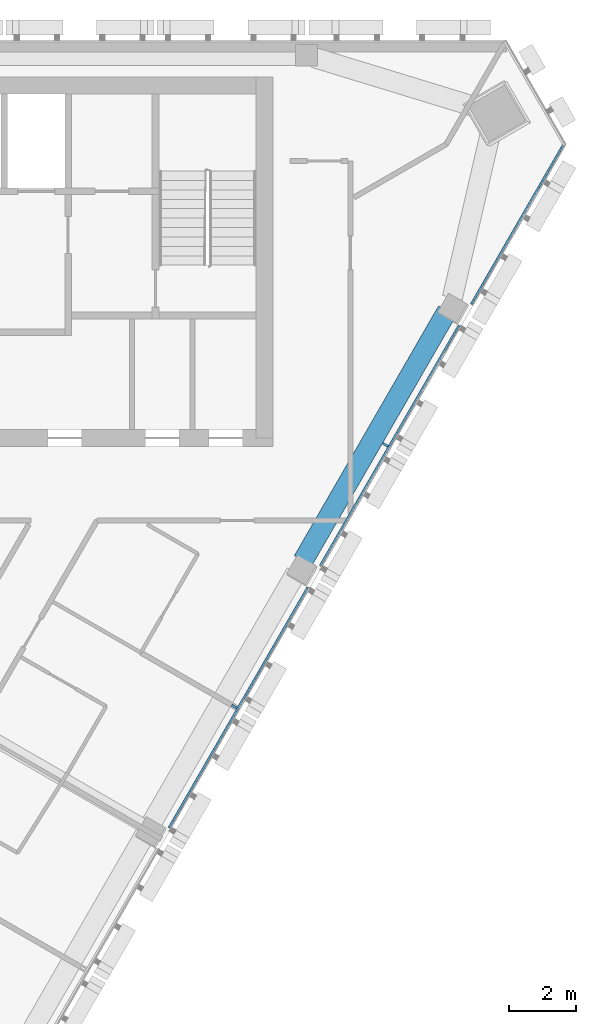
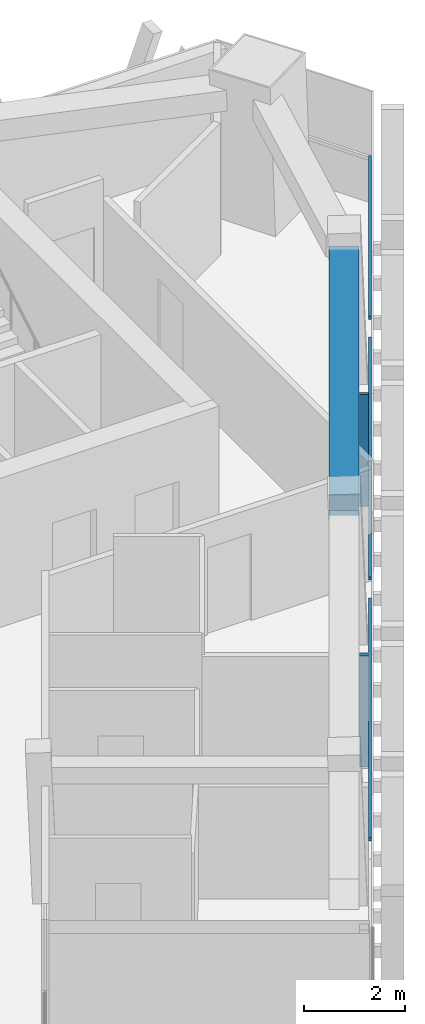
# One storey, part 4 of 11: 5 members, 1 beam, 1 element without a shape of its own.
"""IFC4 building model written with IfcOpenShell, lengths in metres."""

import ifcopenshell
import ifcopenshell.guid

model = None  # the IFC model being written
_history = None  # IfcOwnerHistory: only IFC2X3 demands one
_inside = {}  # id of a spatial element -> (the spatial element, [elements in it])
_under = {}  # id of a project, library or spatial element -> (it, [spatial elements below it])
_declared = {}  # id of a project -> (the project, [libraries it declares])
_typed = {}  # id of a type object -> (the type object, [elements of that type])
_made_of = {}  # id of a material, layer set ... -> (it, [elements and type objects made of it])


def new_model(schema):
    """Start an empty IFC model of exactly this schema.

    Asked for "IFC4X3", IfcOpenShell would pick the latest addendum, in which some entities
    have other attributes; the version numbers below select the first issue.
    IFC2X3 requires an IfcOwnerHistory on every rooted entity: one is made here for all.
    """
    global model, _history
    if schema == "IFC4X3":
        model = ifcopenshell.file(schema_version=(4, 3, 0, 0))
    else:
        model = ifcopenshell.file(schema=schema)
    _inside.clear()
    _under.clear()
    _declared.clear()
    _typed.clear()
    _made_of.clear()
    _history = None
    if model.schema == "IFC2X3":
        org = make("IfcOrganization", Name="unknown")
        user = make(
            "IfcPersonAndOrganization",
            ThePerson=make("IfcPerson", FamilyName="unknown"),
            TheOrganization=org,
        )
        app = make(
            "IfcApplication",
            ApplicationDeveloper=org,
            Version="unknown",
            ApplicationFullName="unknown",
            ApplicationIdentifier="unknown",
        )
        _history = make(
            "IfcOwnerHistory",
            OwningUser=user,
            OwningApplication=app,
            ChangeAction="ADDED",
            CreationDate=0,
        )
    return model


def make(cls, **values):
    """One entity of the class cls with the attributes given. An attribute that is None is left unset."""
    return model.create_entity(
        cls, **{name: value for name, value in values.items() if value is not None}
    )


def rooted(cls, **values):
    """An entity with a GlobalId (a new one), such as an element, a storey or a relation."""
    return make(cls, GlobalId=ifcopenshell.guid.new(), OwnerHistory=_history, **values)


def si_unit(unit_type, name, prefix=None):
    """IfcSIUnit, for example si_unit("LENGTHUNIT", "METRE", prefix="MILLI")."""
    return make("IfcSIUnit", UnitType=unit_type, Prefix=prefix, Name=name)


def assignment(units):
    """IfcUnitAssignment: the units of a project."""
    return None if units is None else make("IfcUnitAssignment", Units=units)


def point(xyz):
    """IfcCartesianPoint."""
    return None if xyz is None else make("IfcCartesianPoint", Coordinates=xyz)


def direction(xyz):
    """IfcDirection."""
    return None if xyz is None else make("IfcDirection", DirectionRatios=xyz)


def frame(location, z_axis=None, x_axis=None):
    """IfcAxis2Placement3D, a coordinate frame: its origin and axes. An axis left out is left unset."""
    return make(
        "IfcAxis2Placement3D",
        Location=point(location),
        Axis=direction(z_axis),
        RefDirection=direction(x_axis),
    )


def frame_2d(location, x_axis=None):
    """IfcAxis2Placement2D, a coordinate frame in the plane: its origin and x axis."""
    return make(
        "IfcAxis2Placement2D", Location=point(location), RefDirection=direction(x_axis)
    )


def origin():
    """The frame at (0, 0, 0) with its axes left unset."""
    return frame((0.0, 0.0, 0.0))


def origin_2d():
    """The frame at (0, 0) in the plane with its x axis left unset."""
    return frame_2d((0.0, 0.0))


def place(relative_to, where):
    """IfcLocalPlacement: puts the frame where relative to a parent placement (None: the world)."""
    return make(
        "IfcLocalPlacement", PlacementRelTo=relative_to, RelativePlacement=where
    )


def context(
    kind, dimensions, precision=None, world=None, true_north=None, identifier=None
):
    """IfcGeometricRepresentationContext, for example the 3D "Model" context."""
    return make(
        "IfcGeometricRepresentationContext",
        ContextIdentifier=identifier,
        ContextType=kind,
        CoordinateSpaceDimension=dimensions,
        Precision=precision,
        WorldCoordinateSystem=world,
        TrueNorth=true_north,
    )


def subcontext(parent, identifier, kind, view, scale=None):
    """IfcGeometricRepresentationSubContext, for example "Body" below "Model"."""
    return make(
        "IfcGeometricRepresentationSubContext",
        ContextIdentifier=identifier,
        ContextType=kind,
        ParentContext=parent,
        TargetScale=scale,
        TargetView=view,
    )


def project(units=None, contexts=None):
    """IfcProject with its units and contexts."""
    return rooted(
        "IfcProject",
        Name="project",
        RepresentationContexts=contexts,
        UnitsInContext=assignment(units),
    )


def spatial(cls, under=None, at=None, **own):
    """A site, building, storey or space (cls), placed at a placement, below another one or the project."""
    s = rooted(cls, ObjectPlacement=at, **own)
    if under is not None:
        _under.setdefault(under.id(), (under, []))[1].append(s)
    return s


def profile(cls, at=None, kind="AREA", **sizes):
    """A parametric profile (cls). Its sizes go by their IFC names, for example OverallWidth=200.0."""
    return make(cls, ProfileType=kind, Position=at, **sizes)


def rectangle(**sizes):
    """IfcRectangleProfileDef."""
    return profile("IfcRectangleProfileDef", **sizes)


def extrude(swept, where, along, depth):
    """IfcExtrudedAreaSolid: the profile swept, set in the frame where, extruded along a direction by depth."""
    return make(
        "IfcExtrudedAreaSolid",
        SweptArea=swept,
        Position=where,
        ExtrudedDirection=direction(along),
        Depth=depth,
    )


def shape(context_of_items, identifier, shape_type, items):
    """IfcShapeRepresentation: the items that make up one representation, for example the "Body"."""
    return make(
        "IfcShapeRepresentation",
        ContextOfItems=context_of_items,
        RepresentationIdentifier=identifier,
        RepresentationType=shape_type,
        Items=items,
    )


def material(Name=None, Category=None):
    """IfcMaterial."""
    return make("IfcMaterial", Name=Name, Category=Category)


def layer(
    of_material, thickness, ventilated=None, Name=None, Category=None, Priority=None
):
    """IfcMaterialLayer: one layer of a wall or slab, of a material (None: an air gap)."""
    return make(
        "IfcMaterialLayer",
        Material=of_material,
        LayerThickness=thickness,
        IsVentilated=ventilated,
        Name=Name,
        Category=Category,
        Priority=Priority,
    )


def layer_set(layers, Name=None):
    """IfcMaterialLayerSet."""
    return make("IfcMaterialLayerSet", MaterialLayers=layers, LayerSetName=Name)


def material_profile(
    of_material, cross_section, Name=None, Category=None, Priority=None
):
    """IfcMaterialProfile: a cross section and its material."""
    return make(
        "IfcMaterialProfile",
        Name=Name,
        Material=of_material,
        Profile=cross_section,
        Priority=Priority,
        Category=Category,
    )


def profile_set(profiles, Name=None, composite=None):
    """IfcMaterialProfileSet."""
    return make(
        "IfcMaterialProfileSet",
        Name=Name,
        MaterialProfiles=profiles,
        CompositeProfile=composite,
    )


def made_of(thing, what):
    """Note that an element or type object is made of a material, layer set ...; save() writes the relation."""
    if what is not None:
        _made_of.setdefault(what.id(), (what, []))[1].append(thing)
    return thing


def type_object(cls, material=None, **own):
    """A type object (cls), such as IfcWallType, which elements share."""
    return made_of(rooted(cls, **own), material)


def element(
    cls,
    number,
    at=None,
    inside=None,
    cuts=None,
    type_object=None,
    material=None,
    context=None,
    identifier="Body",
    shape_type=None,
    held_by="IfcProductDefinitionShape",
    body=None,
    shapes=None,
    **own,
):
    """One element of the class cls, such as IfcWall. Its Tag is "e" and its number.

    at: its placement. inside: the storey or other place that contains it. cuts: it is an
    opening in that element (IfcRelVoidsElement). A single representation is given by context,
    identifier, shape_type and body (its items); several are given by shapes. held_by: the class
    of the entity that holds the representations. save() writes the other relations.
    """
    e = rooted(cls, Tag="e%d" % number, ObjectPlacement=at, **own)
    if body is not None:
        shapes = [shape(context, identifier, shape_type, body)]
    if shapes is not None:
        e.Representation = make(held_by, Representations=shapes)
    if inside is not None:
        _inside.setdefault(inside.id(), (inside, []))[1].append(e)
    if cuts is not None:
        rooted(
            "IfcRelVoidsElement", RelatingBuildingElement=cuts, RelatedOpeningElement=e
        )
    if type_object is not None:
        _typed.setdefault(type_object.id(), (type_object, []))[1].append(e)
    return made_of(e, material)


def aggregate(whole, parts):
    """IfcRelAggregates: a whole, such as a stair, and the parts it consists of."""
    return rooted("IfcRelAggregates", RelatingObject=whole, RelatedObjects=parts)


def save(model, path):
    """Write the relations noted so far, then the file.

    IfcRelAggregates (storeys below a building ...), IfcRelContainedInSpatialStructure (elements
    in a storey), IfcRelDefinesByType, IfcRelAssociatesMaterial and IfcRelDeclares: one each for
    every whole, place, type object, material and project.
    """
    for whole, parts in _under.values():
        aggregate(whole, parts)
    for where, things in _inside.values():
        rooted(
            "IfcRelContainedInSpatialStructure",
            RelatedElements=things,
            RelatingStructure=where,
        )
    for kind, things in _typed.values():
        rooted("IfcRelDefinesByType", RelatedObjects=things, RelatingType=kind)
    for what, things in _made_of.values():
        rooted("IfcRelAssociatesMaterial", RelatedObjects=things, RelatingMaterial=what)
    for by, libraries in _declared.values():
        rooted("IfcRelDeclares", RelatingContext=by, RelatedDefinitions=libraries)
    model.write(path)


model = new_model("IFC4")

# Units and contexts
model_context = context("Model", 3, precision=1e-05, world=origin(), true_north=direction((0.0, 1.0)))
body_context = subcontext(model_context, "Body", "Model", "MODEL_VIEW")
ifc_project = project(units=[si_unit("LENGTHUNIT", "METRE"), si_unit("AREAUNIT", "SQUARE_METRE"), si_unit("VOLUMEUNIT", "CUBIC_METRE"), si_unit("PLANEANGLEUNIT", "RADIAN"), si_unit("MASSUNIT", "GRAM", prefix="KILO")], contexts=[model_context])

# Site, building, storey
site_placement = place(None, origin())
site = spatial("IfcSite", under=ifc_project, at=site_placement, CompositionType="ELEMENT")
building_placement = place(site_placement, origin())
building = spatial("IfcBuilding", under=site, at=building_placement, Name="Altiplano Prism Tower", CompositionType="ELEMENT")
storey_placement = place(building_placement, frame((0.0, 0.0, 327.39990234375)))
storey = spatial("IfcBuildingStorey", under=building, at=storey_placement, Name="L85", CompositionType="ELEMENT", Elevation=327.39990234375)

# Curtain wall, members
ifc_material_1 = material(Name="Aluminium and glass", Category="aluminium")
ifc_layer = layer(ifc_material_1, 0.280029296875)
ifc_layer_set = layer_set([ifc_layer], Name="Aluminium and glass")
curtain_wall_type = type_object("IfcCurtainWallType", Name="CW1 typical co-living unitised curtain wall", PredefinedType="NOTDEFINED", material=ifc_layer_set)
curtain_wall_placement = place(storey_placement, origin())
curtain_wall = element("IfcCurtainWall", 1, at=curtain_wall_placement, inside=storey, type_object=curtain_wall_type, Name="CW1 curtain wall south-east face L85", PredefinedType="NOTDEFINED")
ifc_material_2 = material(Name="Aluminium", Category="aluminium")
ifc_material_profile_1 = material_profile(ifc_material_2, rectangle(XDim=0.179931640625, YDim=0.06494140625, at=origin_2d()), Name="CW1 mullion 65 x 180")
ifc_profile_set_1 = profile_set([ifc_material_profile_1], Name="Aluminium")
member_type_1 = type_object("IfcMemberType", Name="CW1 mullion 65 x 180", PredefinedType="MULLION", material=ifc_profile_set_1)
member_1_placement = place(storey_placement, frame((96.347412109375, 85.156005859375, 0.0), z_axis=(0.0, 0.0, 1.0), x_axis=(-0.866025407563, 0.499999993455, 0.0)))
member_1 = element("IfcMember", 2, at=member_1_placement, type_object=member_type_1, Name="CW1 mullion", PredefinedType="MULLION", context=body_context, shape_type="SweptSolid", body=[
    extrude(rectangle(XDim=0.179931640625, YDim=0.06494140625, at=origin_2d()), origin(), (0.0, 0.0, 1.0), 2.7001953125),
])
member_2_placement = place(storey_placement, frame((100.847412109375, 92.9501953125, 0.0), z_axis=(0.0, 0.0, 1.0), x_axis=(-0.866025407563, 0.499999993455, 0.0)))
member_2 = element("IfcMember", 3, at=member_2_placement, type_object=member_type_1, Name="CW1 mullion", PredefinedType="MULLION", context=body_context, shape_type="SweptSolid", body=[
    extrude(rectangle(XDim=0.179931640625, YDim=0.06494140625, at=origin_2d()), origin(), (0.0, 0.0, 1.0), 2.7001953125),
])
ifc_material_profile_2 = material_profile(ifc_material_2, rectangle(XDim=0.06005859375, YDim=0.080078125, at=origin_2d()), Name="CW1 transom 80 x 60")
ifc_profile_set_2 = profile_set([ifc_material_profile_2], Name="Aluminium")
member_type_2 = type_object("IfcMemberType", Name="CW1 transom 80 x 60", PredefinedType="USERDEFINED", material=ifc_profile_set_2)
member_3_placement = place(storey_placement, frame((94.403564453125, 81.549072265625, 1.10009765625), z_axis=(0.499996734306, 0.866027289225, 0.0), x_axis=(-0.866027289225, 0.499996734306, 0.0)))
member_3 = element("IfcMember", 4, at=member_3_placement, type_object=member_type_2, Name="CW1 transom", ObjectType="TRANSOM", PredefinedType="USERDEFINED", context=body_context, shape_type="SweptSolid", body=[
    extrude(rectangle(XDim=0.06005859375, YDim=0.080078125, at=origin_2d()), origin(), (0.0, 0.0, 1.0), 8.27001953125),
])
member_4_placement = place(storey_placement, frame((98.903564453125, 89.343505859375, 1.10009765625), z_axis=(0.50000951748, 0.866019908795, 0.0), x_axis=(-0.866019908795, 0.50000951748, 0.0)))
member_4 = element("IfcMember", 5, at=member_4_placement, type_object=member_type_2, Name="CW1 transom", ObjectType="TRANSOM", PredefinedType="USERDEFINED", context=body_context, shape_type="SweptSolid", body=[
    extrude(rectangle(XDim=0.06005859375, YDim=0.080078125, at=origin_2d()), origin(), (0.0, 0.0, 1.0), 8.269775390625),
])
member_5_placement = place(storey_placement, frame((103.403564453125, 97.1376953125, 1.10009765625), z_axis=(0.499981774551, 0.866035925996, 0.0), x_axis=(-0.866035925996, 0.499981774551, 0.0)))
member_5 = element("IfcMember", 6, at=member_5_placement, type_object=member_type_2, Name="CW1 transom", ObjectType="TRANSOM", PredefinedType="USERDEFINED", context=body_context, shape_type="SweptSolid", body=[
    extrude(rectangle(XDim=0.06005859375, YDim=0.080078125, at=origin_2d()), origin(), (0.0, 0.0, 1.0), 5.541748046875),
])
aggregate(curtain_wall, [member_1, member_3, member_2, member_4, member_5])

# Beam
ifc_material_3 = material(Name="Concrete C60/75", Category="concrete")
ifc_material_profile_3 = material_profile(ifc_material_3, rectangle(XDim=0.60009765625, YDim=0.5, at=origin_2d()), Name="Edge beam 600x500")
ifc_profile_set_3 = profile_set([ifc_material_profile_3], Name="Concrete C60/75")
beam_type = type_object("IfcBeamType", Name="Edge beam 600x500", PredefinedType="SPANDREL", material=ifc_profile_set_3)
beam_placement = place(storey_placement, frame((98.39453125, 89.4990234375, 2.9501953125), z_axis=(0.500011935685, 0.866018512604, 0.0), x_axis=(-0.866018512604, 0.500011935685, 0.0)))
element("IfcBeam", 7, at=beam_placement, inside=storey, type_object=beam_type, Name="Edge beam P23-P24 L86", PredefinedType="SPANDREL", context=body_context, shape_type="SweptSolid", body=[
    extrude(rectangle(XDim=0.60009765625, YDim=0.5, at=origin_2d()), origin(), (0.0, 0.0, 1.0), 8.590087890625),
])

save(model, "model.ifc")
